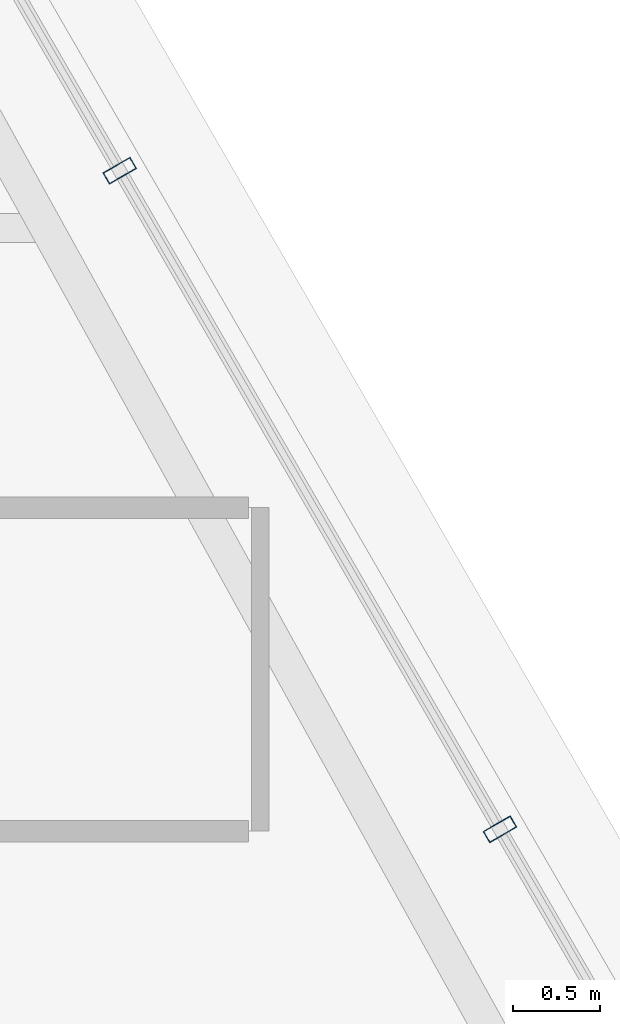
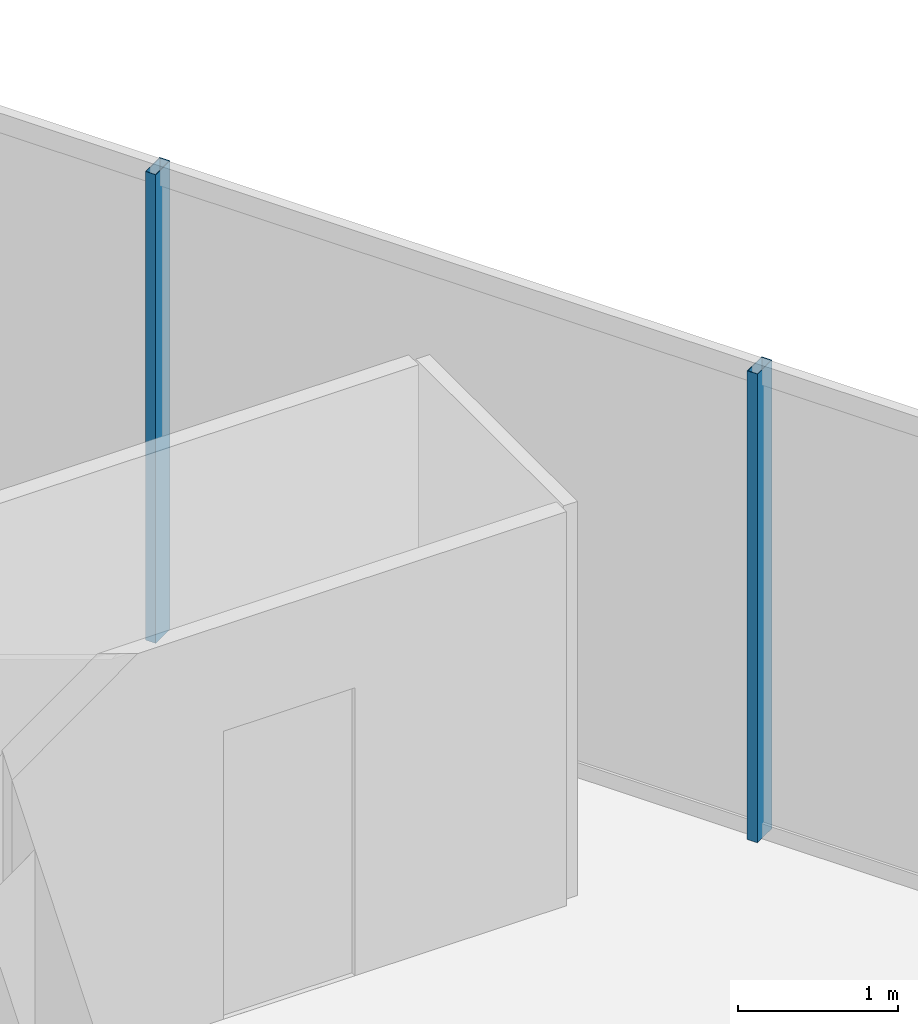
# One storey, part 15 of 29: 2 members, 1 element without a shape of its own.
"""IFC4 building model written with IfcOpenShell, lengths in metres."""

from ifc_helpers import new_model, si_unit, direction, frame, origin, origin_2d, place, context, subcontext, project, spatial, hollow_rectangle, extrude, material, layer, layer_set, material_profile, profile_set, type_object, element, aggregate, save


model = new_model("IFC4")

# Units and contexts
model_context = context("Model", 3, precision=1e-05, world=origin(), true_north=direction((0.0, 1.0)))
body_context = subcontext(model_context, "Body", "Model", "MODEL_VIEW")
ifc_project = project(units=[si_unit("LENGTHUNIT", "METRE"), si_unit("AREAUNIT", "SQUARE_METRE"), si_unit("VOLUMEUNIT", "CUBIC_METRE"), si_unit("PLANEANGLEUNIT", "RADIAN"), si_unit("MASSUNIT", "GRAM", prefix="KILO")], contexts=[model_context])

# Site, building, storey
site_placement = place(None, origin())
site = spatial("IfcSite", under=ifc_project, at=site_placement, CompositionType="ELEMENT")
building_placement = place(site_placement, origin())
building = spatial("IfcBuilding", under=site, at=building_placement, Name="Ndaravel Arena Tower", CompositionType="ELEMENT")
storey_placement = place(building_placement, frame((0.0, 0.0, 229.39990234375)))
storey = spatial("IfcBuildingStorey", under=building, at=storey_placement, Name="L55", CompositionType="ELEMENT", Elevation=229.39990234375)

# Curtain wall, members
ifc_material_1 = material(Name="Aluminium", Category="aluminium")
ifc_layer = layer(ifc_material_1, 0.179931640625)
ifc_layer_set = layer_set([ifc_layer], Name="Aluminium")
curtain_wall_type = type_object("IfcCurtainWallType", Name="CW-SYS-03", PredefinedType="NOTDEFINED", material=ifc_layer_set)
curtain_wall_placement = place(storey_placement, origin())
curtain_wall = element("IfcCurtainWall", 1, at=curtain_wall_placement, inside=storey, type_object=curtain_wall_type, Name="L55 Faceted Crystal Curtain Wall CW-L55-E03", PredefinedType="NOTDEFINED")
ifc_material_2 = material(Name="Aluminium", Category="aluminium")
ifc_material_profile = material_profile(ifc_material_2, hollow_rectangle(XDim=0.074951171875, YDim=0.179931640625, WallThickness=0.00390625, at=origin_2d()), Name="CW MULLION 75x180x4")
ifc_profile_set = profile_set([ifc_material_profile], Name="Aluminium")
member_type = type_object("IfcMemberType", Name="MEM-CW-MUL180", PredefinedType="MULLION", material=ifc_profile_set)
member_1_placement = place(storey_placement, frame((62.993896484375, 15.160888671875, 0.0), z_axis=(0.0, 0.0, 1.0), x_axis=(-0.5, 0.866025403784, 0.0)))
member_1 = element("IfcMember", 2, at=member_1_placement, type_object=member_type, Name="CW-L55-E03 Mullion 01", PredefinedType="MULLION", context=body_context, shape_type="SweptSolid", body=[
    extrude(hollow_rectangle(XDim=0.074951171875, YDim=0.179931640625, WallThickness=0.00390625, at=origin_2d()), origin(), (0.0, 0.0, 1.0), 3.580078125),
])
member_2_placement = place(storey_placement, frame((60.819580078125, 18.927001953125, 0.0), z_axis=(0.0, 0.0, 1.0), x_axis=(-0.5, 0.866025403784, 0.0)))
member_2 = element("IfcMember", 3, at=member_2_placement, type_object=member_type, Name="CW-L55-E03 Mullion 02", PredefinedType="MULLION", context=body_context, shape_type="SweptSolid", body=[
    extrude(hollow_rectangle(XDim=0.074951171875, YDim=0.179931640625, WallThickness=0.00390625, at=origin_2d()), origin(), (0.0, 0.0, 1.0), 3.580078125),
])
aggregate(curtain_wall, [member_1, member_2])

save(model, "model.ifc")
